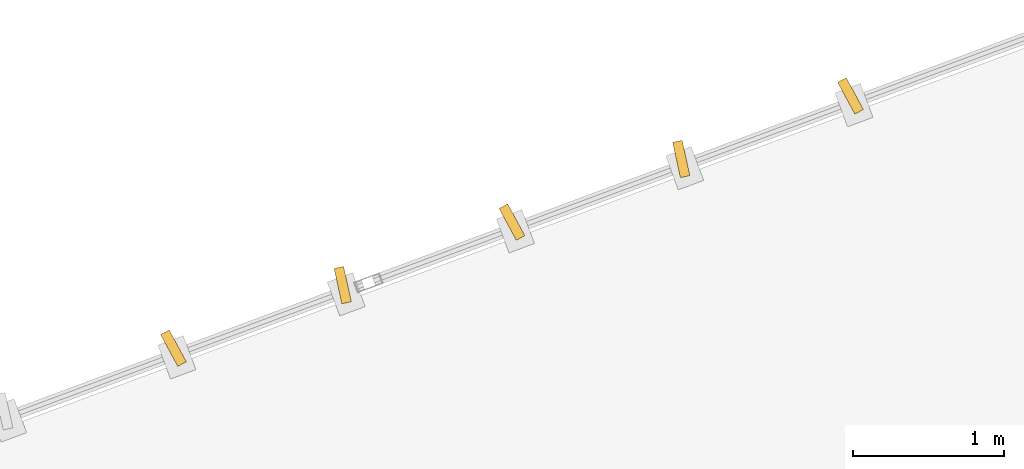
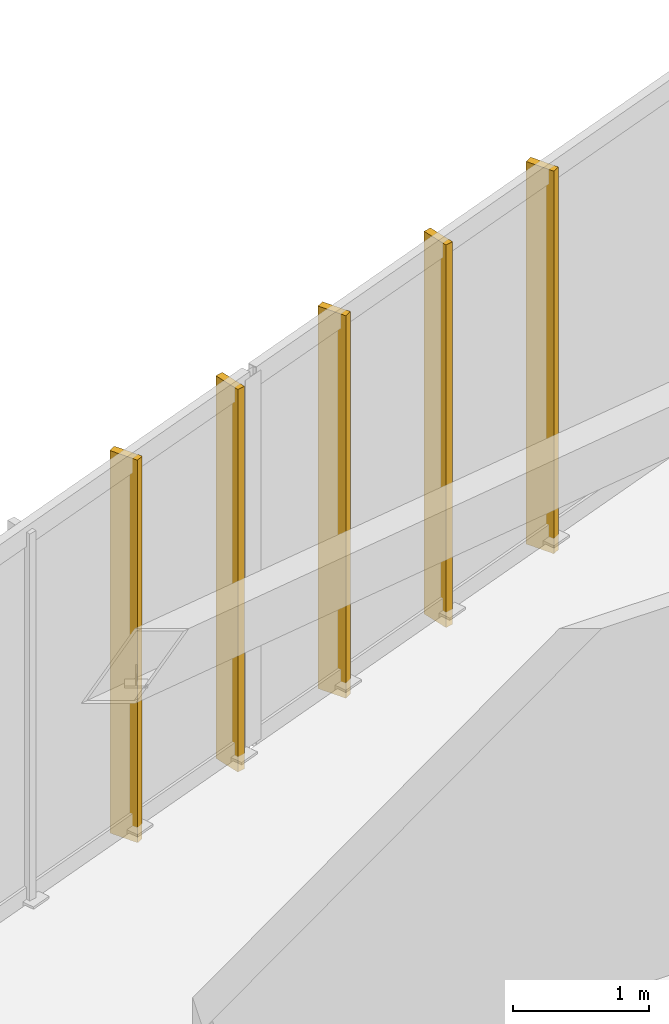
# One storey, part 22 of 22: 5 shading devices.
"""IFC4 building model written with IfcOpenShell, lengths in metres."""

import ifcopenshell
import ifcopenshell.guid

model = None  # the IFC model being written
_history = None  # IfcOwnerHistory: only IFC2X3 demands one
_inside = {}  # id of a spatial element -> (the spatial element, [elements in it])
_under = {}  # id of a project, library or spatial element -> (it, [spatial elements below it])
_declared = {}  # id of a project -> (the project, [libraries it declares])
_typed = {}  # id of a type object -> (the type object, [elements of that type])
_made_of = {}  # id of a material, layer set ... -> (it, [elements and type objects made of it])


def new_model(schema):
    """Start an empty IFC model of exactly this schema.

    Asked for "IFC4X3", IfcOpenShell would pick the latest addendum, in which some entities
    have other attributes; the version numbers below select the first issue.
    IFC2X3 requires an IfcOwnerHistory on every rooted entity: one is made here for all.
    """
    global model, _history
    if schema == "IFC4X3":
        model = ifcopenshell.file(schema_version=(4, 3, 0, 0))
    else:
        model = ifcopenshell.file(schema=schema)
    _inside.clear()
    _under.clear()
    _declared.clear()
    _typed.clear()
    _made_of.clear()
    _history = None
    if model.schema == "IFC2X3":
        org = make("IfcOrganization", Name="unknown")
        user = make(
            "IfcPersonAndOrganization",
            ThePerson=make("IfcPerson", FamilyName="unknown"),
            TheOrganization=org,
        )
        app = make(
            "IfcApplication",
            ApplicationDeveloper=org,
            Version="unknown",
            ApplicationFullName="unknown",
            ApplicationIdentifier="unknown",
        )
        _history = make(
            "IfcOwnerHistory",
            OwningUser=user,
            OwningApplication=app,
            ChangeAction="ADDED",
            CreationDate=0,
        )
    return model


def make(cls, **values):
    """One entity of the class cls with the attributes given. An attribute that is None is left unset."""
    return model.create_entity(
        cls, **{name: value for name, value in values.items() if value is not None}
    )


def rooted(cls, **values):
    """An entity with a GlobalId (a new one), such as an element, a storey or a relation."""
    return make(cls, GlobalId=ifcopenshell.guid.new(), OwnerHistory=_history, **values)


def si_unit(unit_type, name, prefix=None):
    """IfcSIUnit, for example si_unit("LENGTHUNIT", "METRE", prefix="MILLI")."""
    return make("IfcSIUnit", UnitType=unit_type, Prefix=prefix, Name=name)


def assignment(units):
    """IfcUnitAssignment: the units of a project."""
    return None if units is None else make("IfcUnitAssignment", Units=units)


def point(xyz):
    """IfcCartesianPoint."""
    return None if xyz is None else make("IfcCartesianPoint", Coordinates=xyz)


def direction(xyz):
    """IfcDirection."""
    return None if xyz is None else make("IfcDirection", DirectionRatios=xyz)


def frame(location, z_axis=None, x_axis=None):
    """IfcAxis2Placement3D, a coordinate frame: its origin and axes. An axis left out is left unset."""
    return make(
        "IfcAxis2Placement3D",
        Location=point(location),
        Axis=direction(z_axis),
        RefDirection=direction(x_axis),
    )


def frame_2d(location, x_axis=None):
    """IfcAxis2Placement2D, a coordinate frame in the plane: its origin and x axis."""
    return make(
        "IfcAxis2Placement2D", Location=point(location), RefDirection=direction(x_axis)
    )


def origin():
    """The frame at (0, 0, 0) with its axes left unset."""
    return frame((0.0, 0.0, 0.0))


def origin_2d():
    """The frame at (0, 0) in the plane with its x axis left unset."""
    return frame_2d((0.0, 0.0))


def place(relative_to, where):
    """IfcLocalPlacement: puts the frame where relative to a parent placement (None: the world)."""
    return make(
        "IfcLocalPlacement", PlacementRelTo=relative_to, RelativePlacement=where
    )


def context(
    kind, dimensions, precision=None, world=None, true_north=None, identifier=None
):
    """IfcGeometricRepresentationContext, for example the 3D "Model" context."""
    return make(
        "IfcGeometricRepresentationContext",
        ContextIdentifier=identifier,
        ContextType=kind,
        CoordinateSpaceDimension=dimensions,
        Precision=precision,
        WorldCoordinateSystem=world,
        TrueNorth=true_north,
    )


def subcontext(parent, identifier, kind, view, scale=None):
    """IfcGeometricRepresentationSubContext, for example "Body" below "Model"."""
    return make(
        "IfcGeometricRepresentationSubContext",
        ContextIdentifier=identifier,
        ContextType=kind,
        ParentContext=parent,
        TargetScale=scale,
        TargetView=view,
    )


def project(units=None, contexts=None):
    """IfcProject with its units and contexts."""
    return rooted(
        "IfcProject",
        Name="project",
        RepresentationContexts=contexts,
        UnitsInContext=assignment(units),
    )


def spatial(cls, under=None, at=None, **own):
    """A site, building, storey or space (cls), placed at a placement, below another one or the project."""
    s = rooted(cls, ObjectPlacement=at, **own)
    if under is not None:
        _under.setdefault(under.id(), (under, []))[1].append(s)
    return s


def profile(cls, at=None, kind="AREA", **sizes):
    """A parametric profile (cls). Its sizes go by their IFC names, for example OverallWidth=200.0."""
    return make(cls, ProfileType=kind, Position=at, **sizes)


def rectangle(**sizes):
    """IfcRectangleProfileDef."""
    return profile("IfcRectangleProfileDef", **sizes)


def extrude(swept, where, along, depth):
    """IfcExtrudedAreaSolid: the profile swept, set in the frame where, extruded along a direction by depth."""
    return make(
        "IfcExtrudedAreaSolid",
        SweptArea=swept,
        Position=where,
        ExtrudedDirection=direction(along),
        Depth=depth,
    )


def shape(context_of_items, identifier, shape_type, items):
    """IfcShapeRepresentation: the items that make up one representation, for example the "Body"."""
    return make(
        "IfcShapeRepresentation",
        ContextOfItems=context_of_items,
        RepresentationIdentifier=identifier,
        RepresentationType=shape_type,
        Items=items,
    )


def source(mapping_origin, context_of_items, identifier, shape_type, items):
    """IfcRepresentationMap: a shape defined once, which mapped items show again and again."""
    return make(
        "IfcRepresentationMap",
        MappingOrigin=mapping_origin,
        MappedRepresentation=shape(context_of_items, identifier, shape_type, items),
    )


def transform(
    local_origin,
    x_axis=None,
    y_axis=None,
    z_axis=None,
    scale=None,
    scale2=None,
    scale3=None,
    uniform=True,
):
    """IfcCartesianTransformationOperator3D, or its non-uniform kind. x_axis, y_axis, z_axis: its Axis1, 2, 3."""
    if uniform:
        return make(
            "IfcCartesianTransformationOperator3D",
            Axis1=direction(x_axis),
            Axis2=direction(y_axis),
            LocalOrigin=point(local_origin),
            Scale=scale,
            Axis3=direction(z_axis),
        )
    return make(
        "IfcCartesianTransformationOperator3DnonUniform",
        Axis1=direction(x_axis),
        Axis2=direction(y_axis),
        LocalOrigin=point(local_origin),
        Scale=scale,
        Axis3=direction(z_axis),
        Scale2=scale2,
        Scale3=scale3,
    )


def mapped(mapping_source, mapping_target):
    """IfcMappedItem: shows the shape of a source again, moved by a transform."""
    return make(
        "IfcMappedItem", MappingSource=mapping_source, MappingTarget=mapping_target
    )


def material(Name=None, Category=None):
    """IfcMaterial."""
    return make("IfcMaterial", Name=Name, Category=Category)


def layer(
    of_material, thickness, ventilated=None, Name=None, Category=None, Priority=None
):
    """IfcMaterialLayer: one layer of a wall or slab, of a material (None: an air gap)."""
    return make(
        "IfcMaterialLayer",
        Material=of_material,
        LayerThickness=thickness,
        IsVentilated=ventilated,
        Name=Name,
        Category=Category,
        Priority=Priority,
    )


def layer_set(layers, Name=None):
    """IfcMaterialLayerSet."""
    return make("IfcMaterialLayerSet", MaterialLayers=layers, LayerSetName=Name)


def made_of(thing, what):
    """Note that an element or type object is made of a material, layer set ...; save() writes the relation."""
    if what is not None:
        _made_of.setdefault(what.id(), (what, []))[1].append(thing)
    return thing


def type_object(cls, material=None, **own):
    """A type object (cls), such as IfcWallType, which elements share."""
    return made_of(rooted(cls, **own), material)


def type_shapes(of_type, sources):
    """Give a type object the sources (RepresentationMaps) that its elements show as mapped items."""
    of_type.RepresentationMaps = sources


def element(
    cls,
    number,
    at=None,
    inside=None,
    cuts=None,
    type_object=None,
    material=None,
    context=None,
    identifier="Body",
    shape_type=None,
    held_by="IfcProductDefinitionShape",
    body=None,
    shapes=None,
    **own,
):
    """One element of the class cls, such as IfcWall. Its Tag is "e" and its number.

    at: its placement. inside: the storey or other place that contains it. cuts: it is an
    opening in that element (IfcRelVoidsElement). A single representation is given by context,
    identifier, shape_type and body (its items); several are given by shapes. held_by: the class
    of the entity that holds the representations. save() writes the other relations.
    """
    e = rooted(cls, Tag="e%d" % number, ObjectPlacement=at, **own)
    if body is not None:
        shapes = [shape(context, identifier, shape_type, body)]
    if shapes is not None:
        e.Representation = make(held_by, Representations=shapes)
    if inside is not None:
        _inside.setdefault(inside.id(), (inside, []))[1].append(e)
    if cuts is not None:
        rooted(
            "IfcRelVoidsElement", RelatingBuildingElement=cuts, RelatedOpeningElement=e
        )
    if type_object is not None:
        _typed.setdefault(type_object.id(), (type_object, []))[1].append(e)
    return made_of(e, material)


def aggregate(whole, parts):
    """IfcRelAggregates: a whole, such as a stair, and the parts it consists of."""
    return rooted("IfcRelAggregates", RelatingObject=whole, RelatedObjects=parts)


def save(model, path):
    """Write the relations noted so far, then the file.

    IfcRelAggregates (storeys below a building ...), IfcRelContainedInSpatialStructure (elements
    in a storey), IfcRelDefinesByType, IfcRelAssociatesMaterial and IfcRelDeclares: one each for
    every whole, place, type object, material and project.
    """
    for whole, parts in _under.values():
        aggregate(whole, parts)
    for where, things in _inside.values():
        rooted(
            "IfcRelContainedInSpatialStructure",
            RelatedElements=things,
            RelatingStructure=where,
        )
    for kind, things in _typed.values():
        rooted("IfcRelDefinesByType", RelatedObjects=things, RelatingType=kind)
    for what, things in _made_of.values():
        rooted("IfcRelAssociatesMaterial", RelatedObjects=things, RelatingMaterial=what)
    for by, libraries in _declared.values():
        rooted("IfcRelDeclares", RelatingContext=by, RelatedDefinitions=libraries)
    model.write(path)


model = new_model("IFC4")

# Units and contexts
model_context = context("Model", 3, precision=1e-05, world=origin(), true_north=direction((0.0, 1.0)))
body_context = subcontext(model_context, "Body", "Model", "MODEL_VIEW")
ifc_project = project(units=[si_unit("LENGTHUNIT", "METRE"), si_unit("AREAUNIT", "SQUARE_METRE"), si_unit("VOLUMEUNIT", "CUBIC_METRE"), si_unit("PLANEANGLEUNIT", "RADIAN"), si_unit("MASSUNIT", "GRAM", prefix="KILO")], contexts=[model_context])

# Site, building, storey
site_placement = place(None, origin())
site = spatial("IfcSite", under=ifc_project, at=site_placement, CompositionType="ELEMENT")
building_placement = place(site_placement, origin())
building = spatial("IfcBuilding", under=site, at=building_placement, Name="Talar Marvaseh", CompositionType="ELEMENT")
storey_placement = place(building_placement, frame((0.0, 0.0, 150.60009765625)))
storey = spatial("IfcBuildingStorey", under=building, at=storey_placement, Name="L39", CompositionType="ELEMENT", Elevation=150.60009765625)

# Shading devices
ifc_material = material(Name="Anodised Champagne Bronze Aluminium", Category="aluminium")
ifc_layer = layer(ifc_material, 0.06494140625)
ifc_layer_set = layer_set([ifc_layer], Name="Anodised Champagne Bronze Aluminium")
shading_device_type = type_object("IfcShadingDeviceType", Name="Sawtooth Champagne Bronze Vertical Fin 240", PredefinedType="USERDEFINED", material=ifc_layer_set)
shared_shape = source(origin(), body_context, "Body", "SweptSolid", [
    extrude(rectangle(XDim=0.239990234375, YDim=0.06494140625, at=origin_2d()), origin(), (0.0, 0.0, 1.0), 3.429931640625),
])
type_shapes(shading_device_type, [shared_shape])
for number, where, z_axis, x_axis, name in (
    (1, (23.07568359375, 44.613037109375, -0.1201171875), (0.0, 0.0, 1.0), (-0.476084726767, 0.879399416044, 0.0), "L39 Sawtooth Vertical Solar Fin"),
    (2, (24.2001953125, 45.031982421875, -0.1201171875), (0.0, 0.0, 1.0), (-0.215246682117, 0.976559709305, 0.0), "L39 Sawtooth Vertical Solar Fin"),
    (3, (25.32470703125, 45.45068359375, -0.1201171875), (0.0, 0.0, 1.0), (-0.476084726767, 0.879399416044, 0.0), "L39 Sawtooth Vertical Solar Fin"),
    (4, (26.44921875, 45.869873046875, -0.1201171875), (0.0, 0.0, 1.0), (-0.215246682117, 0.976559709305, 0.0), "L39 Sawtooth Vertical Solar Fin"),
    (5, (27.57373046875, 46.288818359375, -0.1201171875), (0.0, 0.0, 1.0), (-0.476084726767, 0.879399416044, 0.0), "L39 Sawtooth Vertical Solar Fin"),
):
    element("IfcShadingDevice", number, at=place(storey_placement, frame(where, z_axis=z_axis, x_axis=x_axis)), inside=storey, type_object=shading_device_type, Name=name, ObjectType="FIN", PredefinedType="USERDEFINED", context=body_context, shape_type="MappedRepresentation", body=[
        mapped(shared_shape, transform((0.0, 0.0, 0.0), x_axis=(1.0, 0.0, 0.0), y_axis=(0.0, 1.0, 0.0), z_axis=(0.0, 0.0, 1.0), scale=1.0)),
    ])

save(model, "model.ifc")
